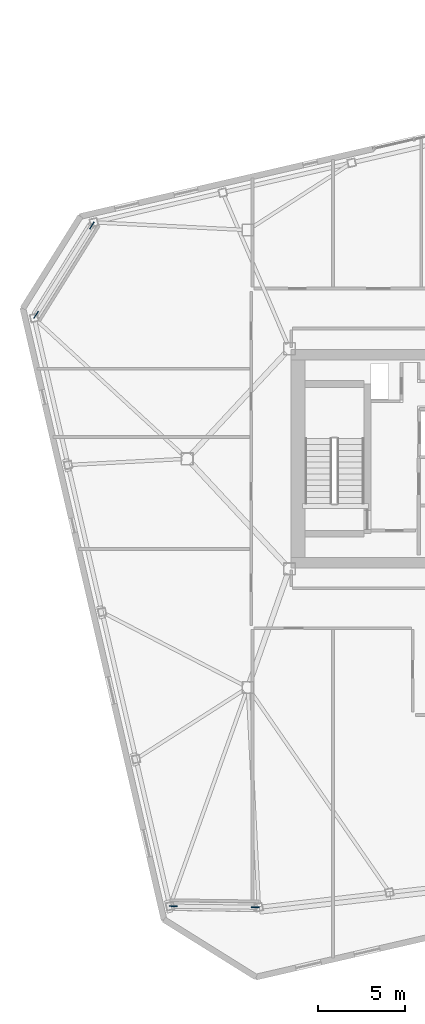
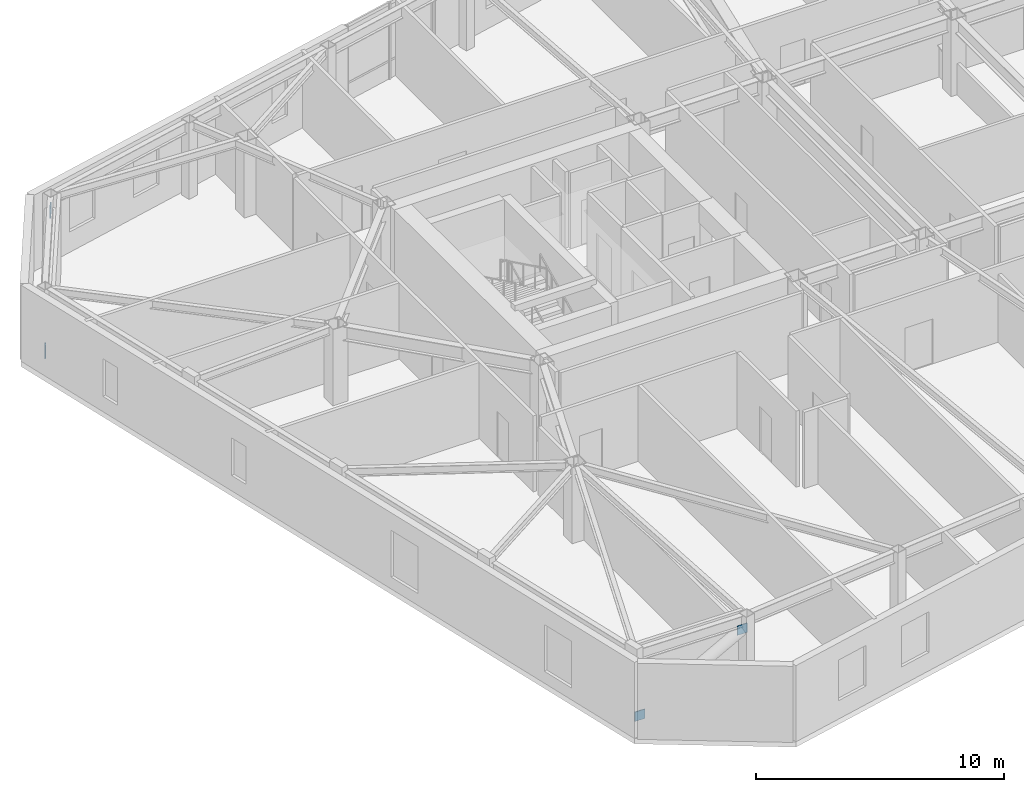
# One storey, part 20 of 22: 4 discrete accessories.
"""IFC4 building model written with IfcOpenShell, lengths in metres."""

import ifcopenshell
import ifcopenshell.guid

model = None  # the IFC model being written
_history = None  # IfcOwnerHistory: only IFC2X3 demands one
_inside = {}  # id of a spatial element -> (the spatial element, [elements in it])
_under = {}  # id of a project, library or spatial element -> (it, [spatial elements below it])
_declared = {}  # id of a project -> (the project, [libraries it declares])
_typed = {}  # id of a type object -> (the type object, [elements of that type])
_made_of = {}  # id of a material, layer set ... -> (it, [elements and type objects made of it])


def new_model(schema):
    """Start an empty IFC model of exactly this schema.

    Asked for "IFC4X3", IfcOpenShell would pick the latest addendum, in which some entities
    have other attributes; the version numbers below select the first issue.
    IFC2X3 requires an IfcOwnerHistory on every rooted entity: one is made here for all.
    """
    global model, _history
    if schema == "IFC4X3":
        model = ifcopenshell.file(schema_version=(4, 3, 0, 0))
    else:
        model = ifcopenshell.file(schema=schema)
    _inside.clear()
    _under.clear()
    _declared.clear()
    _typed.clear()
    _made_of.clear()
    _history = None
    if model.schema == "IFC2X3":
        org = make("IfcOrganization", Name="unknown")
        user = make(
            "IfcPersonAndOrganization",
            ThePerson=make("IfcPerson", FamilyName="unknown"),
            TheOrganization=org,
        )
        app = make(
            "IfcApplication",
            ApplicationDeveloper=org,
            Version="unknown",
            ApplicationFullName="unknown",
            ApplicationIdentifier="unknown",
        )
        _history = make(
            "IfcOwnerHistory",
            OwningUser=user,
            OwningApplication=app,
            ChangeAction="ADDED",
            CreationDate=0,
        )
    return model


def make(cls, **values):
    """One entity of the class cls with the attributes given. An attribute that is None is left unset."""
    return model.create_entity(
        cls, **{name: value for name, value in values.items() if value is not None}
    )


def rooted(cls, **values):
    """An entity with a GlobalId (a new one), such as an element, a storey or a relation."""
    return make(cls, GlobalId=ifcopenshell.guid.new(), OwnerHistory=_history, **values)


def si_unit(unit_type, name, prefix=None):
    """IfcSIUnit, for example si_unit("LENGTHUNIT", "METRE", prefix="MILLI")."""
    return make("IfcSIUnit", UnitType=unit_type, Prefix=prefix, Name=name)


def assignment(units):
    """IfcUnitAssignment: the units of a project."""
    return None if units is None else make("IfcUnitAssignment", Units=units)


def point(xyz):
    """IfcCartesianPoint."""
    return None if xyz is None else make("IfcCartesianPoint", Coordinates=xyz)


def direction(xyz):
    """IfcDirection."""
    return None if xyz is None else make("IfcDirection", DirectionRatios=xyz)


def frame(location, z_axis=None, x_axis=None):
    """IfcAxis2Placement3D, a coordinate frame: its origin and axes. An axis left out is left unset."""
    return make(
        "IfcAxis2Placement3D",
        Location=point(location),
        Axis=direction(z_axis),
        RefDirection=direction(x_axis),
    )


def frame_2d(location, x_axis=None):
    """IfcAxis2Placement2D, a coordinate frame in the plane: its origin and x axis."""
    return make(
        "IfcAxis2Placement2D", Location=point(location), RefDirection=direction(x_axis)
    )


def origin():
    """The frame at (0, 0, 0) with its axes left unset."""
    return frame((0.0, 0.0, 0.0))


def origin_2d():
    """The frame at (0, 0) in the plane with its x axis left unset."""
    return frame_2d((0.0, 0.0))


def place(relative_to, where):
    """IfcLocalPlacement: puts the frame where relative to a parent placement (None: the world)."""
    return make(
        "IfcLocalPlacement", PlacementRelTo=relative_to, RelativePlacement=where
    )


def context(
    kind, dimensions, precision=None, world=None, true_north=None, identifier=None
):
    """IfcGeometricRepresentationContext, for example the 3D "Model" context."""
    return make(
        "IfcGeometricRepresentationContext",
        ContextIdentifier=identifier,
        ContextType=kind,
        CoordinateSpaceDimension=dimensions,
        Precision=precision,
        WorldCoordinateSystem=world,
        TrueNorth=true_north,
    )


def subcontext(parent, identifier, kind, view, scale=None):
    """IfcGeometricRepresentationSubContext, for example "Body" below "Model"."""
    return make(
        "IfcGeometricRepresentationSubContext",
        ContextIdentifier=identifier,
        ContextType=kind,
        ParentContext=parent,
        TargetScale=scale,
        TargetView=view,
    )


def project(units=None, contexts=None):
    """IfcProject with its units and contexts."""
    return rooted(
        "IfcProject",
        Name="project",
        RepresentationContexts=contexts,
        UnitsInContext=assignment(units),
    )


def spatial(cls, under=None, at=None, **own):
    """A site, building, storey or space (cls), placed at a placement, below another one or the project."""
    s = rooted(cls, ObjectPlacement=at, **own)
    if under is not None:
        _under.setdefault(under.id(), (under, []))[1].append(s)
    return s


def profile(cls, at=None, kind="AREA", **sizes):
    """A parametric profile (cls). Its sizes go by their IFC names, for example OverallWidth=200.0."""
    return make(cls, ProfileType=kind, Position=at, **sizes)


def rectangle(**sizes):
    """IfcRectangleProfileDef."""
    return profile("IfcRectangleProfileDef", **sizes)


def extrude(swept, where, along, depth):
    """IfcExtrudedAreaSolid: the profile swept, set in the frame where, extruded along a direction by depth."""
    return make(
        "IfcExtrudedAreaSolid",
        SweptArea=swept,
        Position=where,
        ExtrudedDirection=direction(along),
        Depth=depth,
    )


def shape(context_of_items, identifier, shape_type, items):
    """IfcShapeRepresentation: the items that make up one representation, for example the "Body"."""
    return make(
        "IfcShapeRepresentation",
        ContextOfItems=context_of_items,
        RepresentationIdentifier=identifier,
        RepresentationType=shape_type,
        Items=items,
    )


def material(Name=None, Category=None):
    """IfcMaterial."""
    return make("IfcMaterial", Name=Name, Category=Category)


def made_of(thing, what):
    """Note that an element or type object is made of a material, layer set ...; save() writes the relation."""
    if what is not None:
        _made_of.setdefault(what.id(), (what, []))[1].append(thing)
    return thing


def type_object(cls, material=None, **own):
    """A type object (cls), such as IfcWallType, which elements share."""
    return made_of(rooted(cls, **own), material)


def element(
    cls,
    number,
    at=None,
    inside=None,
    cuts=None,
    type_object=None,
    material=None,
    context=None,
    identifier="Body",
    shape_type=None,
    held_by="IfcProductDefinitionShape",
    body=None,
    shapes=None,
    **own,
):
    """One element of the class cls, such as IfcWall. Its Tag is "e" and its number.

    at: its placement. inside: the storey or other place that contains it. cuts: it is an
    opening in that element (IfcRelVoidsElement). A single representation is given by context,
    identifier, shape_type and body (its items); several are given by shapes. held_by: the class
    of the entity that holds the representations. save() writes the other relations.
    """
    e = rooted(cls, Tag="e%d" % number, ObjectPlacement=at, **own)
    if body is not None:
        shapes = [shape(context, identifier, shape_type, body)]
    if shapes is not None:
        e.Representation = make(held_by, Representations=shapes)
    if inside is not None:
        _inside.setdefault(inside.id(), (inside, []))[1].append(e)
    if cuts is not None:
        rooted(
            "IfcRelVoidsElement", RelatingBuildingElement=cuts, RelatedOpeningElement=e
        )
    if type_object is not None:
        _typed.setdefault(type_object.id(), (type_object, []))[1].append(e)
    return made_of(e, material)


def aggregate(whole, parts):
    """IfcRelAggregates: a whole, such as a stair, and the parts it consists of."""
    return rooted("IfcRelAggregates", RelatingObject=whole, RelatedObjects=parts)


def save(model, path):
    """Write the relations noted so far, then the file.

    IfcRelAggregates (storeys below a building ...), IfcRelContainedInSpatialStructure (elements
    in a storey), IfcRelDefinesByType, IfcRelAssociatesMaterial and IfcRelDeclares: one each for
    every whole, place, type object, material and project.
    """
    for whole, parts in _under.values():
        aggregate(whole, parts)
    for where, things in _inside.values():
        rooted(
            "IfcRelContainedInSpatialStructure",
            RelatedElements=things,
            RelatingStructure=where,
        )
    for kind, things in _typed.values():
        rooted("IfcRelDefinesByType", RelatedObjects=things, RelatingType=kind)
    for what, things in _made_of.values():
        rooted("IfcRelAssociatesMaterial", RelatedObjects=things, RelatingMaterial=what)
    for by, libraries in _declared.values():
        rooted("IfcRelDeclares", RelatingContext=by, RelatedDefinitions=libraries)
    model.write(path)


model = new_model("IFC4")

# Units and contexts
model_context = context("Model", 3, precision=1e-05, world=origin(), true_north=direction((0.0, 1.0)))
body_context = subcontext(model_context, "Body", "Model", "MODEL_VIEW")
ifc_project = project(units=[si_unit("LENGTHUNIT", "METRE"), si_unit("AREAUNIT", "SQUARE_METRE"), si_unit("VOLUMEUNIT", "CUBIC_METRE"), si_unit("PLANEANGLEUNIT", "RADIAN"), si_unit("MASSUNIT", "GRAM", prefix="KILO")], contexts=[model_context])

# Site, building, storey
site_placement = place(None, origin())
site = spatial("IfcSite", under=ifc_project, at=site_placement, CompositionType="ELEMENT")
building_placement = place(site_placement, origin())
building = spatial("IfcBuilding", under=site, at=building_placement, Name="Tavrogorsk Clinical Tower", CompositionType="ELEMENT")
storey_placement = place(building_placement, frame((0.0, 0.0, 313.0)))
storey = spatial("IfcBuildingStorey", under=building, at=storey_placement, Name="L73", CompositionType="ELEMENT", Elevation=313.0)

# Discrete accessories
ifc_material = material(Name="Structural steel S440", Category="steel")
discrete_accessory_type = type_object("IfcDiscreteAccessoryType", Name="GussetPlateBracket_25", PredefinedType="BRACKET", material=ifc_material)
for number, where, z_axis, x_axis, name in (
    (1, (-36.72265625, 8.30908203125, 0.163330078125), (0.0, 0.0, 1.0), (0.529919264233, 0.848048096156, 0.0), "L73 Brace Gusset Plate EXOCRN-L73-3-A"),
    (2, (-33.501708984375, 13.4638671875, 2.81689453125), (0.0, 0.0, 1.0), (0.529919264233, 0.848048096156, 0.0), "L73 Brace Gusset Plate EXOCRN-L73-3-B"),
    (3, (-28.794677734375, -25.821533203125, 0.182861328125), (0.0, 0.0, 1.0), (0.999914327574, -0.013089595571, 0.0), "L73 Brace Gusset Plate EXOCRN-L73-4-A"),
    (4, (-24.07080078125, -25.883056640625, 2.797119140625), (0.0, 0.0, 1.0), (0.999914327574, -0.013089595571, 0.0), "L73 Brace Gusset Plate EXOCRN-L73-4-B"),
):
    element("IfcDiscreteAccessory", number, at=place(storey_placement, frame(where, z_axis=z_axis, x_axis=x_axis)), inside=storey, type_object=discrete_accessory_type, Name=name, PredefinedType="BRACKET", context=body_context, shape_type="SweptSolid", body=[
        extrude(rectangle(XDim=0.4599609375, YDim=0.0400390625, at=origin_2d()), origin(), (0.0, 0.0, 1.0), 0.4599609375),
    ])

save(model, "model.ifc")
